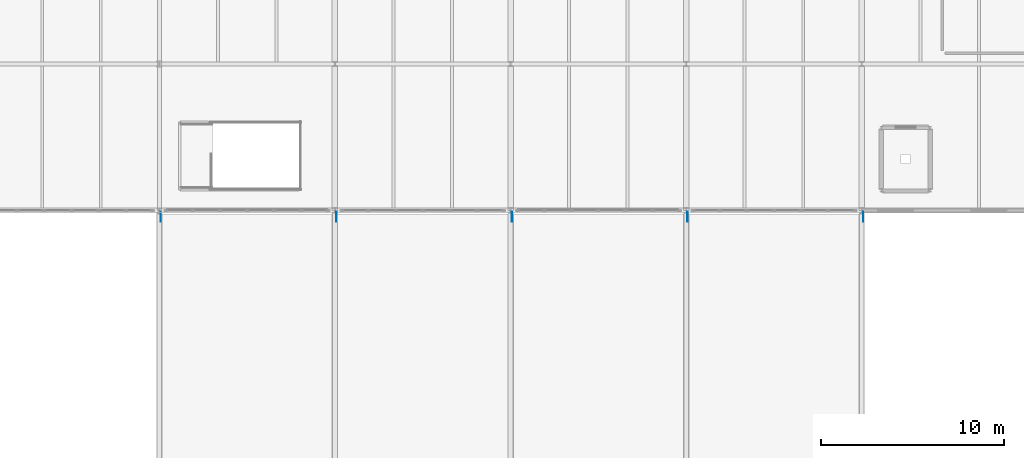
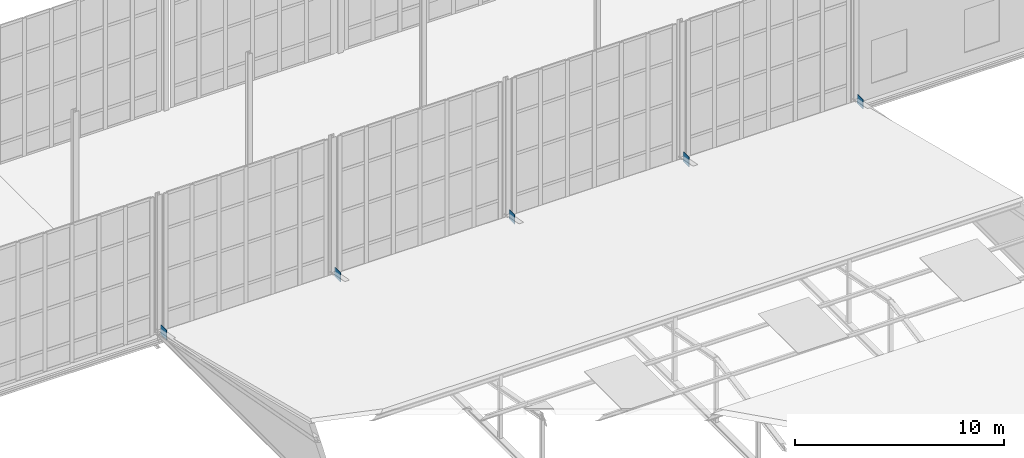
# One storey, part 62 of 73: 5 plates.
"""IFC4 building model written with IfcOpenShell, lengths in metres."""

from ifc_helpers import new_model, si_unit, direction, frame, origin, origin_2d, place, context, subcontext, project, spatial, rectangle, extrude, material, layer, layer_set, type_object, element, save


model = new_model("IFC4")

# Units and contexts
model_context = context("Model", 3, precision=1e-05, world=origin(), true_north=direction((0.0, 1.0)))
body_context = subcontext(model_context, "Body", "Model", "MODEL_VIEW")
ifc_project = project(units=[si_unit("LENGTHUNIT", "METRE"), si_unit("AREAUNIT", "SQUARE_METRE"), si_unit("VOLUMEUNIT", "CUBIC_METRE"), si_unit("PLANEANGLEUNIT", "RADIAN"), si_unit("MASSUNIT", "GRAM", prefix="KILO")], contexts=[model_context])

# Site, building, storey
site_placement = place(None, origin())
site = spatial("IfcSite", under=ifc_project, at=site_placement, CompositionType="ELEMENT")
building_placement = place(site_placement, origin())
building = spatial("IfcBuilding", under=site, at=building_placement, Name="Alderhovde Museum", CompositionType="ELEMENT")
storey_placement = place(building_placement, frame((0.0, 0.0, 17.39990234375)))
storey = spatial("IfcBuildingStorey", under=building, at=storey_placement, Name="L04", CompositionType="ELEMENT", Elevation=17.39990234375)

# Plates
ifc_material = material(Name="Steel S355J2", Category="steel")
ifc_layer = layer(ifc_material, 0.02197265625)
ifc_layer_set = layer_set([ifc_layer], Name="Steel S355J2")
plate_type = type_object("IfcPlateType", Name="PLT-GUSSET-22", PredefinedType="USERDEFINED", material=ifc_layer_set)
for number, where, z_axis, x_axis, name in (
    (1, (76.8798828125, 71.64990234375, -0.030029296875), (0.0, 0.0, 1.0), (1.0, 0.0, 0.0), "Atrium Truss Gusset X=76.8-3"),
    (2, (86.47998046875, 71.64990234375, -0.030029296875), (0.0, 0.0, 1.0), (1.0, 0.0, 0.0), "Atrium Truss Gusset X=86.4-3"),
    (3, (96.080078125, 71.64990234375, -0.030029296875), (0.0, 0.0, 1.0), (1.0, 0.0, 0.0), "Atrium Truss Gusset X=96.0-3"),
    (4, (105.679931640625, 71.64990234375, -0.030029296875), (0.0, 0.0, 1.0), (1.0, 0.0, 0.0), "Atrium Truss Gusset X=105.6-3"),
    (5, (115.280029296875, 71.64990234375, -0.030029296875), (0.0, 0.0, 1.0), (1.0, 0.0, 0.0), "Atrium Truss Gusset X=115.2-3"),
):
    element("IfcPlate", number, at=place(storey_placement, frame(where, z_axis=z_axis, x_axis=x_axis)), inside=storey, type_object=plate_type, Name=name, ObjectType="GUSSET PLATE", PredefinedType="USERDEFINED", context=body_context, shape_type="SweptSolid", body=[
        extrude(rectangle(XDim=0.02197265625, YDim=0.56005859375, at=origin_2d()), origin(), (0.0, 0.0, 1.0), 0.56005859375),
    ])

save(model, "model.ifc")
